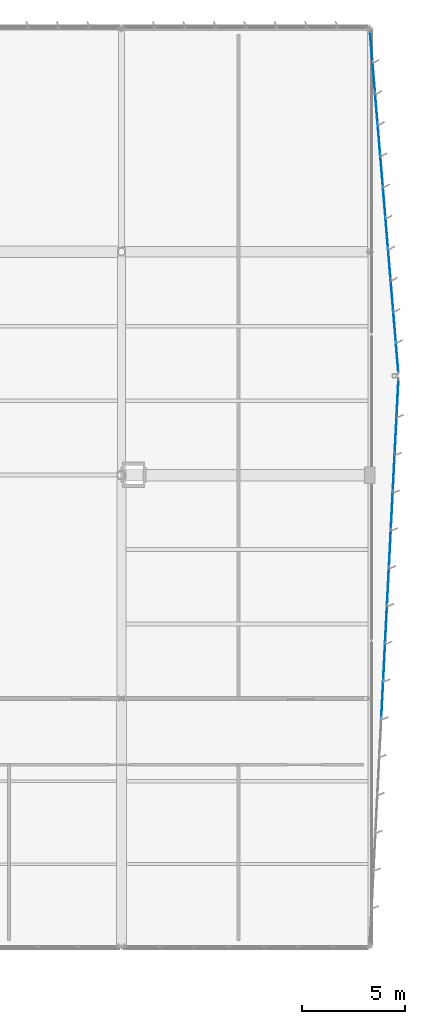
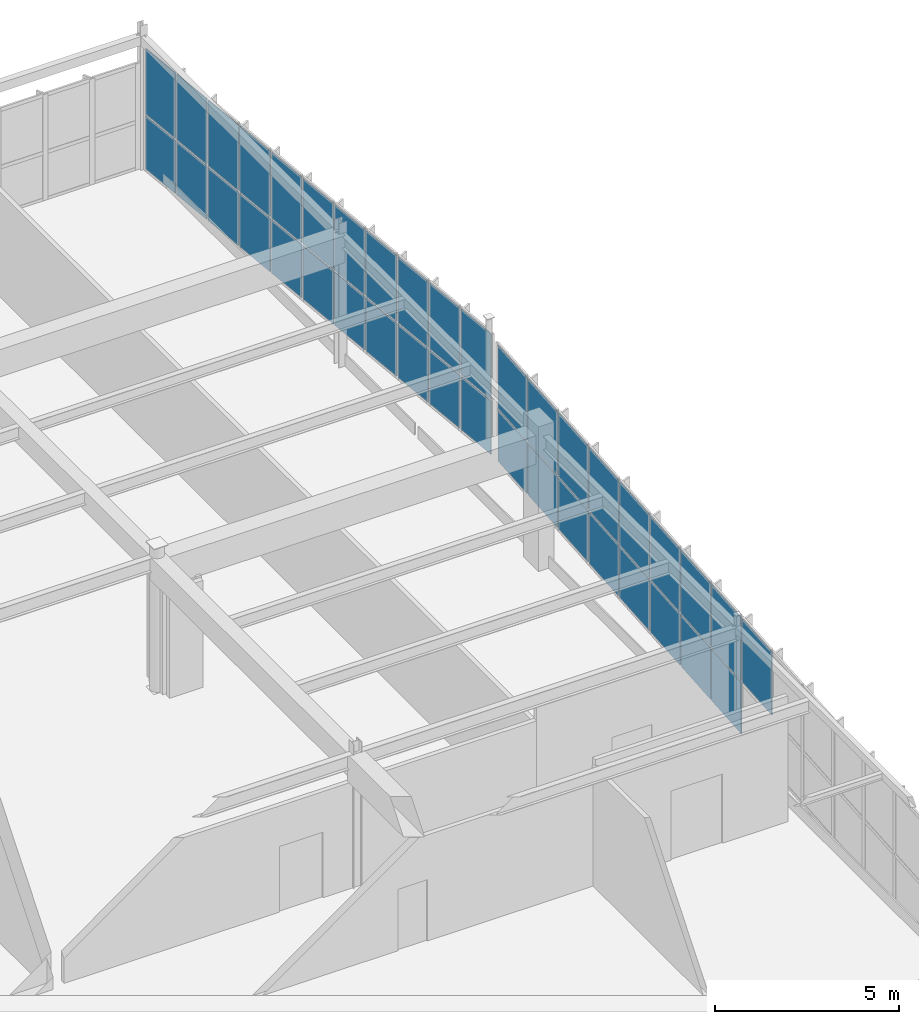
# One storey, part 128 of 186: 39 plates, 2 elements without a shape of their own.
"""IFC4 building model written with IfcOpenShell, lengths in metres."""

from ifc_helpers import new_model, si_unit, direction, frame, origin, origin_2d, place, context, subcontext, project, spatial, rectangle, extrude, material, layer, layer_set, type_object, element, aggregate, save


model = new_model("IFC4")

# Units and contexts
model_context = context("Model", 3, precision=1e-05, world=origin(), true_north=direction((0.0, 1.0)))
body_context = subcontext(model_context, "Body", "Model", "MODEL_VIEW")
ifc_project = project(units=[si_unit("LENGTHUNIT", "METRE"), si_unit("AREAUNIT", "SQUARE_METRE"), si_unit("VOLUMEUNIT", "CUBIC_METRE"), si_unit("PLANEANGLEUNIT", "RADIAN"), si_unit("MASSUNIT", "GRAM", prefix="KILO")], contexts=[model_context])

# Site, building, storey
site_placement = place(None, origin())
site = spatial("IfcSite", under=ifc_project, at=site_placement, CompositionType="ELEMENT")
building_placement = place(site_placement, origin())
building = spatial("IfcBuilding", under=site, at=building_placement, Name="Tarnwether General Hospital", CompositionType="ELEMENT")
storey_placement = place(building_placement, frame((0.0, 0.0, 9.60009765625)))
storey = spatial("IfcBuildingStorey", under=building, at=storey_placement, Name="L02", CompositionType="ELEMENT", Elevation=9.60009765625)

# Curtain wall, plates
ifc_material_1 = material(Name="Anodised aluminium", Category="aluminium")
ifc_layer_1 = layer(ifc_material_1, 0.159912109375)
ifc_layer_set_1 = layer_set([ifc_layer_1], Name="Anodised aluminium")
curtain_wall_type_1 = type_object("IfcCurtainWallType", Name="CW-16", PredefinedType="NOTDEFINED", material=ifc_layer_set_1)
curtain_wall_1_placement = place(storey_placement, origin())
curtain_wall_1 = element("IfcCurtainWall", 1, at=curtain_wall_1_placement, inside=storey, type_object=curtain_wall_type_1, Name="Curtain Wall CWG-L02-1920_1259-0470", PredefinedType="NOTDEFINED")
ifc_material_2 = material(Name="Double glazed low-E glass", Category="glass")
ifc_layer_2 = layer(ifc_material_2, 0.028076171875)
ifc_layer_set_2 = layer_set([ifc_layer_2], Name="Double glazed low-E glass")
plate_type = type_object("IfcPlateType", Name="PT-CWP1", PredefinedType="CURTAIN_PANEL", material=ifc_layer_set_2)
plate_1_placement = place(storey_placement, frame((192.073974609375, 125.11181640625, 0.06005859375), z_axis=(0.0, 0.0, 1.0), x_axis=(0.08303551335, -0.996546588737, 0.0)))
plate_1 = element("IfcPlate", 2, at=plate_1_placement, type_object=plate_type, Name="CW-16 panel 1.1", PredefinedType="CURTAIN_PANEL", context=body_context, shape_type="SweptSolid", body=[
    extrude(rectangle(XDim=1.419677734375, YDim=0.028076171875, at=origin_2d()), origin(), (0.0, 0.0, 1.0), 1.76611328125),
])
plate_2_placement = place(storey_placement, frame((192.073974609375, 125.11181640625, 1.88623046875), z_axis=(0.0, 0.0, 1.0), x_axis=(0.08303551335, -0.996546588737, 0.0)))
plate_2 = element("IfcPlate", 3, at=plate_2_placement, type_object=plate_type, Name="CW-16 panel 1.2", PredefinedType="CURTAIN_PANEL", context=body_context, shape_type="SweptSolid", body=[
    extrude(rectangle(XDim=1.419677734375, YDim=0.028076171875, at=origin_2d()), origin(), (0.0, 0.0, 1.0), 2.1787109375),
])
plate_3_placement = place(storey_placement, frame((192.197998046875, 123.6220703125, 0.06005859375), z_axis=(0.0, 0.0, 1.0), x_axis=(0.08303551335, -0.996546588737, 0.0)))
plate_3 = element("IfcPlate", 4, at=plate_3_placement, type_object=plate_type, Name="CW-16 panel 2.1", PredefinedType="CURTAIN_PANEL", context=body_context, shape_type="SweptSolid", body=[
    extrude(rectangle(XDim=1.44970703125, YDim=0.028076171875, at=origin_2d()), origin(), (0.0, 0.0, 1.0), 1.76611328125),
])
plate_4_placement = place(storey_placement, frame((192.197998046875, 123.6220703125, 1.88623046875), z_axis=(0.0, 0.0, 1.0), x_axis=(0.08303551335, -0.996546588737, 0.0)))
plate_4 = element("IfcPlate", 5, at=plate_4_placement, type_object=plate_type, Name="CW-16 panel 2.2", PredefinedType="CURTAIN_PANEL", context=body_context, shape_type="SweptSolid", body=[
    extrude(rectangle(XDim=1.44970703125, YDim=0.028076171875, at=origin_2d()), origin(), (0.0, 0.0, 1.0), 2.1787109375),
])
plate_5_placement = place(storey_placement, frame((192.323486328125, 122.11767578125, 0.06005859375), z_axis=(0.0, 0.0, 1.0), x_axis=(0.08303551335, -0.996546588737, 0.0)))
plate_5 = element("IfcPlate", 6, at=plate_5_placement, type_object=plate_type, Name="CW-16 panel 3.1", PredefinedType="CURTAIN_PANEL", context=body_context, shape_type="SweptSolid", body=[
    extrude(rectangle(XDim=1.44970703125, YDim=0.028076171875, at=origin_2d()), origin(), (0.0, 0.0, 1.0), 1.76611328125),
])
plate_6_placement = place(storey_placement, frame((192.323486328125, 122.11767578125, 1.88623046875), z_axis=(0.0, 0.0, 1.0), x_axis=(0.08303551335, -0.996546588737, 0.0)))
plate_6 = element("IfcPlate", 7, at=plate_6_placement, type_object=plate_type, Name="CW-16 panel 3.2", PredefinedType="CURTAIN_PANEL", context=body_context, shape_type="SweptSolid", body=[
    extrude(rectangle(XDim=1.44970703125, YDim=0.028076171875, at=origin_2d()), origin(), (0.0, 0.0, 1.0), 2.1787109375),
])
plate_7_placement = place(storey_placement, frame((192.44873046875, 120.613037109375, 0.06005859375), z_axis=(0.0, 0.0, 1.0), x_axis=(0.08303551335, -0.996546588737, 0.0)))
plate_7 = element("IfcPlate", 8, at=plate_7_placement, type_object=plate_type, Name="CW-16 panel 4.1", PredefinedType="CURTAIN_PANEL", context=body_context, shape_type="SweptSolid", body=[
    extrude(rectangle(XDim=1.44970703125, YDim=0.028076171875, at=origin_2d()), origin(), (0.0, 0.0, 1.0), 1.76611328125),
])
plate_8_placement = place(storey_placement, frame((192.44873046875, 120.613037109375, 1.88623046875), z_axis=(0.0, 0.0, 1.0), x_axis=(0.08303551335, -0.996546588737, 0.0)))
plate_8 = element("IfcPlate", 9, at=plate_8_placement, type_object=plate_type, Name="CW-16 panel 4.2", PredefinedType="CURTAIN_PANEL", context=body_context, shape_type="SweptSolid", body=[
    extrude(rectangle(XDim=1.44970703125, YDim=0.028076171875, at=origin_2d()), origin(), (0.0, 0.0, 1.0), 2.1787109375),
])
plate_9_placement = place(storey_placement, frame((192.57421875, 119.108642578125, 0.06005859375), z_axis=(0.0, 0.0, 1.0), x_axis=(0.08303551335, -0.996546588737, 0.0)))
plate_9 = element("IfcPlate", 10, at=plate_9_placement, type_object=plate_type, Name="CW-16 panel 5.1", PredefinedType="CURTAIN_PANEL", context=body_context, shape_type="SweptSolid", body=[
    extrude(rectangle(XDim=1.44970703125, YDim=0.028076171875, at=origin_2d()), origin(), (0.0, 0.0, 1.0), 1.76611328125),
])
plate_10_placement = place(storey_placement, frame((192.57421875, 119.108642578125, 1.88623046875), z_axis=(0.0, 0.0, 1.0), x_axis=(0.08303551335, -0.996546588737, 0.0)))
plate_10 = element("IfcPlate", 11, at=plate_10_placement, type_object=plate_type, Name="CW-16 panel 5.2", PredefinedType="CURTAIN_PANEL", context=body_context, shape_type="SweptSolid", body=[
    extrude(rectangle(XDim=1.44970703125, YDim=0.028076171875, at=origin_2d()), origin(), (0.0, 0.0, 1.0), 2.1787109375),
])
plate_11_placement = place(storey_placement, frame((192.699462890625, 117.60400390625, 0.06005859375), z_axis=(0.0, 0.0, 1.0), x_axis=(0.08303551335, -0.996546588737, 0.0)))
plate_11 = element("IfcPlate", 12, at=plate_11_placement, type_object=plate_type, Name="CW-16 panel 6.1", PredefinedType="CURTAIN_PANEL", context=body_context, shape_type="SweptSolid", body=[
    extrude(rectangle(XDim=1.44970703125, YDim=0.028076171875, at=origin_2d()), origin(), (0.0, 0.0, 1.0), 1.76611328125),
])
plate_12_placement = place(storey_placement, frame((192.699462890625, 117.60400390625, 1.88623046875), z_axis=(0.0, 0.0, 1.0), x_axis=(0.08303551335, -0.996546588737, 0.0)))
plate_12 = element("IfcPlate", 13, at=plate_12_placement, type_object=plate_type, Name="CW-16 panel 6.2", PredefinedType="CURTAIN_PANEL", context=body_context, shape_type="SweptSolid", body=[
    extrude(rectangle(XDim=1.44970703125, YDim=0.028076171875, at=origin_2d()), origin(), (0.0, 0.0, 1.0), 2.1787109375),
])
plate_13_placement = place(storey_placement, frame((192.824951171875, 116.099365234375, 0.06005859375), z_axis=(0.0, 0.0, 1.0), x_axis=(0.08303551335, -0.996546588737, 0.0)))
plate_13 = element("IfcPlate", 14, at=plate_13_placement, type_object=plate_type, Name="CW-16 panel 7.1", PredefinedType="CURTAIN_PANEL", context=body_context, shape_type="SweptSolid", body=[
    extrude(rectangle(XDim=1.44970703125, YDim=0.028076171875, at=origin_2d()), origin(), (0.0, 0.0, 1.0), 1.76611328125),
])
plate_14_placement = place(storey_placement, frame((192.824951171875, 116.099365234375, 1.88623046875), z_axis=(0.0, 0.0, 1.0), x_axis=(0.08303551335, -0.996546588737, 0.0)))
plate_14 = element("IfcPlate", 15, at=plate_14_placement, type_object=plate_type, Name="CW-16 panel 7.2", PredefinedType="CURTAIN_PANEL", context=body_context, shape_type="SweptSolid", body=[
    extrude(rectangle(XDim=1.44970703125, YDim=0.028076171875, at=origin_2d()), origin(), (0.0, 0.0, 1.0), 2.1787109375),
])
plate_15_placement = place(storey_placement, frame((192.9501953125, 114.594970703125, 0.06005859375), z_axis=(0.0, 0.0, 1.0), x_axis=(0.08303551335, -0.996546588737, 0.0)))
plate_15 = element("IfcPlate", 16, at=plate_15_placement, type_object=plate_type, Name="CW-16 panel 8.1", PredefinedType="CURTAIN_PANEL", context=body_context, shape_type="SweptSolid", body=[
    extrude(rectangle(XDim=1.44970703125, YDim=0.028076171875, at=origin_2d()), origin(), (0.0, 0.0, 1.0), 1.76611328125),
])
plate_16_placement = place(storey_placement, frame((192.9501953125, 114.594970703125, 1.88623046875), z_axis=(0.0, 0.0, 1.0), x_axis=(0.08303551335, -0.996546588737, 0.0)))
plate_16 = element("IfcPlate", 17, at=plate_16_placement, type_object=plate_type, Name="CW-16 panel 8.2", PredefinedType="CURTAIN_PANEL", context=body_context, shape_type="SweptSolid", body=[
    extrude(rectangle(XDim=1.44970703125, YDim=0.028076171875, at=origin_2d()), origin(), (0.0, 0.0, 1.0), 2.1787109375),
])
plate_17_placement = place(storey_placement, frame((193.07568359375, 113.09033203125, 0.06005859375), z_axis=(0.0, 0.0, 1.0), x_axis=(0.08303551335, -0.996546588737, 0.0)))
plate_17 = element("IfcPlate", 18, at=plate_17_placement, type_object=plate_type, Name="CW-16 panel 9.1", PredefinedType="CURTAIN_PANEL", context=body_context, shape_type="SweptSolid", body=[
    extrude(rectangle(XDim=1.44970703125, YDim=0.028076171875, at=origin_2d()), origin(), (0.0, 0.0, 1.0), 1.76611328125),
])
plate_18_placement = place(storey_placement, frame((193.07568359375, 113.09033203125, 1.88623046875), z_axis=(0.0, 0.0, 1.0), x_axis=(0.08303551335, -0.996546588737, 0.0)))
plate_18 = element("IfcPlate", 19, at=plate_18_placement, type_object=plate_type, Name="CW-16 panel 9.2", PredefinedType="CURTAIN_PANEL", context=body_context, shape_type="SweptSolid", body=[
    extrude(rectangle(XDim=1.44970703125, YDim=0.028076171875, at=origin_2d()), origin(), (0.0, 0.0, 1.0), 2.1787109375),
])
plate_19_placement = place(storey_placement, frame((193.200927734375, 111.5859375, 0.06005859375), z_axis=(0.0, 0.0, 1.0), x_axis=(0.08303551335, -0.996546588737, 0.0)))
plate_19 = element("IfcPlate", 20, at=plate_19_placement, type_object=plate_type, Name="CW-16 panel 10.1", PredefinedType="CURTAIN_PANEL", context=body_context, shape_type="SweptSolid", body=[
    extrude(rectangle(XDim=1.44970703125, YDim=0.028076171875, at=origin_2d()), origin(), (0.0, 0.0, 1.0), 1.76611328125),
])
plate_20_placement = place(storey_placement, frame((193.200927734375, 111.5859375, 1.88623046875), z_axis=(0.0, 0.0, 1.0), x_axis=(0.08303551335, -0.996546588737, 0.0)))
plate_20 = element("IfcPlate", 21, at=plate_20_placement, type_object=plate_type, Name="CW-16 panel 10.2", PredefinedType="CURTAIN_PANEL", context=body_context, shape_type="SweptSolid", body=[
    extrude(rectangle(XDim=1.44970703125, YDim=0.028076171875, at=origin_2d()), origin(), (0.0, 0.0, 1.0), 2.1787109375),
])
plate_21_placement = place(storey_placement, frame((193.324951171875, 110.09619140625, 0.06005859375), z_axis=(0.0, 0.0, 1.0), x_axis=(0.08303551335, -0.996546588737, 0.0)))
plate_21 = element("IfcPlate", 22, at=plate_21_placement, type_object=plate_type, Name="CW-16 panel 11.1", PredefinedType="CURTAIN_PANEL", context=body_context, shape_type="SweptSolid", body=[
    extrude(rectangle(XDim=1.419677734375, YDim=0.028076171875, at=origin_2d()), origin(), (0.0, 0.0, 1.0), 1.76611328125),
])
plate_22_placement = place(storey_placement, frame((193.324951171875, 110.09619140625, 1.88623046875), z_axis=(0.0, 0.0, 1.0), x_axis=(0.08303551335, -0.996546588737, 0.0)))
plate_22 = element("IfcPlate", 23, at=plate_22_placement, type_object=plate_type, Name="CW-16 panel 11.2", PredefinedType="CURTAIN_PANEL", context=body_context, shape_type="SweptSolid", body=[
    extrude(rectangle(XDim=1.419677734375, YDim=0.028076171875, at=origin_2d()), origin(), (0.0, 0.0, 1.0), 2.1787109375),
])
aggregate(curtain_wall_1, [plate_1, plate_2, plate_3, plate_4, plate_5, plate_6, plate_7, plate_8, plate_9, plate_10, plate_11, plate_12, plate_13, plate_14, plate_15, plate_16, plate_17, plate_18, plate_19, plate_20, plate_21, plate_22])

ifc_material_3 = material(Name="Anodised aluminium", Category="aluminium")
ifc_layer_3 = layer(ifc_material_3, 0.159912109375)
ifc_layer_set_3 = layer_set([ifc_layer_3], Name="Anodised aluminium")
curtain_wall_type_2 = type_object("IfcCurtainWallType", Name="CW-17", PredefinedType="NOTDEFINED", material=ifc_layer_set_3)
curtain_wall_2_placement = place(storey_placement, origin())
curtain_wall_2 = element("IfcCurtainWall", 24, at=curtain_wall_2_placement, inside=storey, type_object=curtain_wall_type_2, Name="Curtain Wall CWG-L02-1934_1091-0471", PredefinedType="NOTDEFINED")
plate_23_placement = place(storey_placement, frame((193.346923828125, 108.15185546875, 0.06005859375), z_axis=(0.0, 0.0, 1.0), x_axis=(-0.050677688973, -0.998715060385, 0.0)))
plate_23 = element("IfcPlate", 25, at=plate_23_placement, type_object=plate_type, Name="CW-17 panel 1.1", PredefinedType="CURTAIN_PANEL", context=body_context, shape_type="SweptSolid", body=[
    extrude(rectangle(XDim=1.738525390625, YDim=0.028076171875, at=origin_2d()), origin(), (0.0, 0.0, 1.0), 1.695556640625),
])
plate_24_placement = place(storey_placement, frame((193.346923828125, 108.15185546875, 1.815673828125), z_axis=(0.0, 0.0, 1.0), x_axis=(-0.050677688973, -0.998715060385, 0.0)))
plate_24 = element("IfcPlate", 26, at=plate_24_placement, type_object=plate_type, Name="CW-17 panel 1.2", PredefinedType="CURTAIN_PANEL", context=body_context, shape_type="SweptSolid", body=[
    extrude(rectangle(XDim=1.738525390625, YDim=0.028076171875, at=origin_2d()), origin(), (0.0, 0.0, 1.0), 2.09228515625),
])
plate_25_placement = place(storey_placement, frame((193.2548828125, 106.3408203125, 0.06005859375), z_axis=(0.0, 0.0, 1.0), x_axis=(-0.050677688973, -0.998715060385, 0.0)))
plate_25 = element("IfcPlate", 27, at=plate_25_placement, type_object=plate_type, Name="CW-17 panel 2.1", PredefinedType="CURTAIN_PANEL", context=body_context, shape_type="SweptSolid", body=[
    extrude(rectangle(XDim=1.7685546875, YDim=0.028076171875, at=origin_2d()), origin(), (0.0, 0.0, 1.0), 1.695556640625),
])
plate_26_placement = place(storey_placement, frame((193.2548828125, 106.3408203125, 1.815673828125), z_axis=(0.0, 0.0, 1.0), x_axis=(-0.050677688973, -0.998715060385, 0.0)))
plate_26 = element("IfcPlate", 28, at=plate_26_placement, type_object=plate_type, Name="CW-17 panel 2.2", PredefinedType="CURTAIN_PANEL", context=body_context, shape_type="SweptSolid", body=[
    extrude(rectangle(XDim=1.7685546875, YDim=0.028076171875, at=origin_2d()), origin(), (0.0, 0.0, 1.0), 2.09228515625),
])
plate_27_placement = place(storey_placement, frame((193.162353515625, 104.514404296875, 0.06005859375), z_axis=(0.0, 0.0, 1.0), x_axis=(-0.050677688973, -0.998715060385, 0.0)))
plate_27 = element("IfcPlate", 29, at=plate_27_placement, type_object=plate_type, Name="CW-17 panel 3.1", PredefinedType="CURTAIN_PANEL", context=body_context, shape_type="SweptSolid", body=[
    extrude(rectangle(XDim=1.7685546875, YDim=0.028076171875, at=origin_2d()), origin(), (0.0, 0.0, 1.0), 1.695556640625),
])
plate_28_placement = place(storey_placement, frame((193.162353515625, 104.514404296875, 1.815673828125), z_axis=(0.0, 0.0, 1.0), x_axis=(-0.050677688973, -0.998715060385, 0.0)))
plate_28 = element("IfcPlate", 30, at=plate_28_placement, type_object=plate_type, Name="CW-17 panel 3.2", PredefinedType="CURTAIN_PANEL", context=body_context, shape_type="SweptSolid", body=[
    extrude(rectangle(XDim=1.7685546875, YDim=0.028076171875, at=origin_2d()), origin(), (0.0, 0.0, 1.0), 2.09228515625),
])
plate_29_placement = place(storey_placement, frame((193.069580078125, 102.688232421875, 0.06005859375), z_axis=(0.0, 0.0, 1.0), x_axis=(-0.050677688973, -0.998715060385, 0.0)))
plate_29 = element("IfcPlate", 31, at=plate_29_placement, type_object=plate_type, Name="CW-17 panel 4.1", PredefinedType="CURTAIN_PANEL", context=body_context, shape_type="SweptSolid", body=[
    extrude(rectangle(XDim=1.7685546875, YDim=0.028076171875, at=origin_2d()), origin(), (0.0, 0.0, 1.0), 1.695556640625),
])
plate_30_placement = place(storey_placement, frame((193.069580078125, 102.688232421875, 1.815673828125), z_axis=(0.0, 0.0, 1.0), x_axis=(-0.050677688973, -0.998715060385, 0.0)))
plate_30 = element("IfcPlate", 32, at=plate_30_placement, type_object=plate_type, Name="CW-17 panel 4.2", PredefinedType="CURTAIN_PANEL", context=body_context, shape_type="SweptSolid", body=[
    extrude(rectangle(XDim=1.7685546875, YDim=0.028076171875, at=origin_2d()), origin(), (0.0, 0.0, 1.0), 2.09228515625),
])
plate_31_placement = place(storey_placement, frame((192.97705078125, 100.862060546875, 0.06005859375), z_axis=(0.0, 0.0, 1.0), x_axis=(-0.050677688973, -0.998715060385, 0.0)))
plate_31 = element("IfcPlate", 33, at=plate_31_placement, type_object=plate_type, Name="CW-17 panel 5.1", PredefinedType="CURTAIN_PANEL", context=body_context, shape_type="SweptSolid", body=[
    extrude(rectangle(XDim=1.7685546875, YDim=0.028076171875, at=origin_2d()), origin(), (0.0, 0.0, 1.0), 1.695556640625),
])
plate_32_placement = place(storey_placement, frame((192.97705078125, 100.862060546875, 1.815673828125), z_axis=(0.0, 0.0, 1.0), x_axis=(-0.050677688973, -0.998715060385, 0.0)))
plate_32 = element("IfcPlate", 34, at=plate_32_placement, type_object=plate_type, Name="CW-17 panel 5.2", PredefinedType="CURTAIN_PANEL", context=body_context, shape_type="SweptSolid", body=[
    extrude(rectangle(XDim=1.7685546875, YDim=0.028076171875, at=origin_2d()), origin(), (0.0, 0.0, 1.0), 2.09228515625),
])
plate_33_placement = place(storey_placement, frame((192.88427734375, 99.035888671875, 0.06005859375), z_axis=(0.0, 0.0, 1.0), x_axis=(-0.050677688973, -0.998715060385, 0.0)))
plate_33 = element("IfcPlate", 35, at=plate_33_placement, type_object=plate_type, Name="CW-17 panel 6.1", PredefinedType="CURTAIN_PANEL", context=body_context, shape_type="SweptSolid", body=[
    extrude(rectangle(XDim=1.7685546875, YDim=0.028076171875, at=origin_2d()), origin(), (0.0, 0.0, 1.0), 1.695556640625),
])
plate_34_placement = place(storey_placement, frame((192.88427734375, 99.035888671875, 1.815673828125), z_axis=(0.0, 0.0, 1.0), x_axis=(-0.050677688973, -0.998715060385, 0.0)))
plate_34 = element("IfcPlate", 36, at=plate_34_placement, type_object=plate_type, Name="CW-17 panel 6.2", PredefinedType="CURTAIN_PANEL", context=body_context, shape_type="SweptSolid", body=[
    extrude(rectangle(XDim=1.7685546875, YDim=0.028076171875, at=origin_2d()), origin(), (0.0, 0.0, 1.0), 2.09228515625),
])
plate_35_placement = place(storey_placement, frame((192.791748046875, 97.209716796875, 0.06005859375), z_axis=(0.0, 0.0, 1.0), x_axis=(-0.050677688973, -0.998715060385, 0.0)))
plate_35 = element("IfcPlate", 37, at=plate_35_placement, type_object=plate_type, Name="CW-17 panel 7.1", PredefinedType="CURTAIN_PANEL", context=body_context, shape_type="SweptSolid", body=[
    extrude(rectangle(XDim=1.7685546875, YDim=0.028076171875, at=origin_2d()), origin(), (0.0, 0.0, 1.0), 1.695556640625),
])
plate_36_placement = place(storey_placement, frame((192.791748046875, 97.209716796875, 1.815673828125), z_axis=(0.0, 0.0, 1.0), x_axis=(-0.050677688973, -0.998715060385, 0.0)))
plate_36 = element("IfcPlate", 38, at=plate_36_placement, type_object=plate_type, Name="CW-17 panel 7.2", PredefinedType="CURTAIN_PANEL", context=body_context, shape_type="SweptSolid", body=[
    extrude(rectangle(XDim=1.7685546875, YDim=0.028076171875, at=origin_2d()), origin(), (0.0, 0.0, 1.0), 2.09228515625),
])
plate_37_placement = place(storey_placement, frame((192.698974609375, 95.383544921875, 0.06005859375), z_axis=(0.0, 0.0, 1.0), x_axis=(-0.050677688973, -0.998715060385, 0.0)))
plate_37 = element("IfcPlate", 39, at=plate_37_placement, type_object=plate_type, Name="CW-17 panel 8.1", PredefinedType="CURTAIN_PANEL", context=body_context, shape_type="SweptSolid", body=[
    extrude(rectangle(XDim=1.7685546875, YDim=0.028076171875, at=origin_2d()), origin(), (0.0, 0.0, 1.0), 1.695556640625),
])
plate_38_placement = place(storey_placement, frame((192.698974609375, 95.383544921875, 1.815673828125), z_axis=(0.0, 0.0, 1.0), x_axis=(-0.050677688973, -0.998715060385, 0.0)))
plate_38 = element("IfcPlate", 40, at=plate_38_placement, type_object=plate_type, Name="CW-17 panel 8.2", PredefinedType="CURTAIN_PANEL", context=body_context, shape_type="SweptSolid", body=[
    extrude(rectangle(XDim=1.7685546875, YDim=0.028076171875, at=origin_2d()), origin(), (0.0, 0.0, 1.0), 2.09228515625),
])
plate_39_placement = place(storey_placement, frame((192.6064453125, 93.557373046875, 1.815673828125), z_axis=(0.0, 0.0, 1.0), x_axis=(-0.050677688973, -0.998715060385, 0.0)))
plate_39 = element("IfcPlate", 41, at=plate_39_placement, type_object=plate_type, Name="CW-17 panel 9.2", PredefinedType="CURTAIN_PANEL", context=body_context, shape_type="SweptSolid", body=[
    extrude(rectangle(XDim=1.7685546875, YDim=0.028076171875, at=origin_2d()), origin(), (0.0, 0.0, 1.0), 2.09228515625),
])
aggregate(curtain_wall_2, [plate_23, plate_24, plate_25, plate_26, plate_27, plate_28, plate_29, plate_30, plate_31, plate_32, plate_33, plate_34, plate_35, plate_36, plate_37, plate_38, plate_39])

save(model, "model.ifc")
